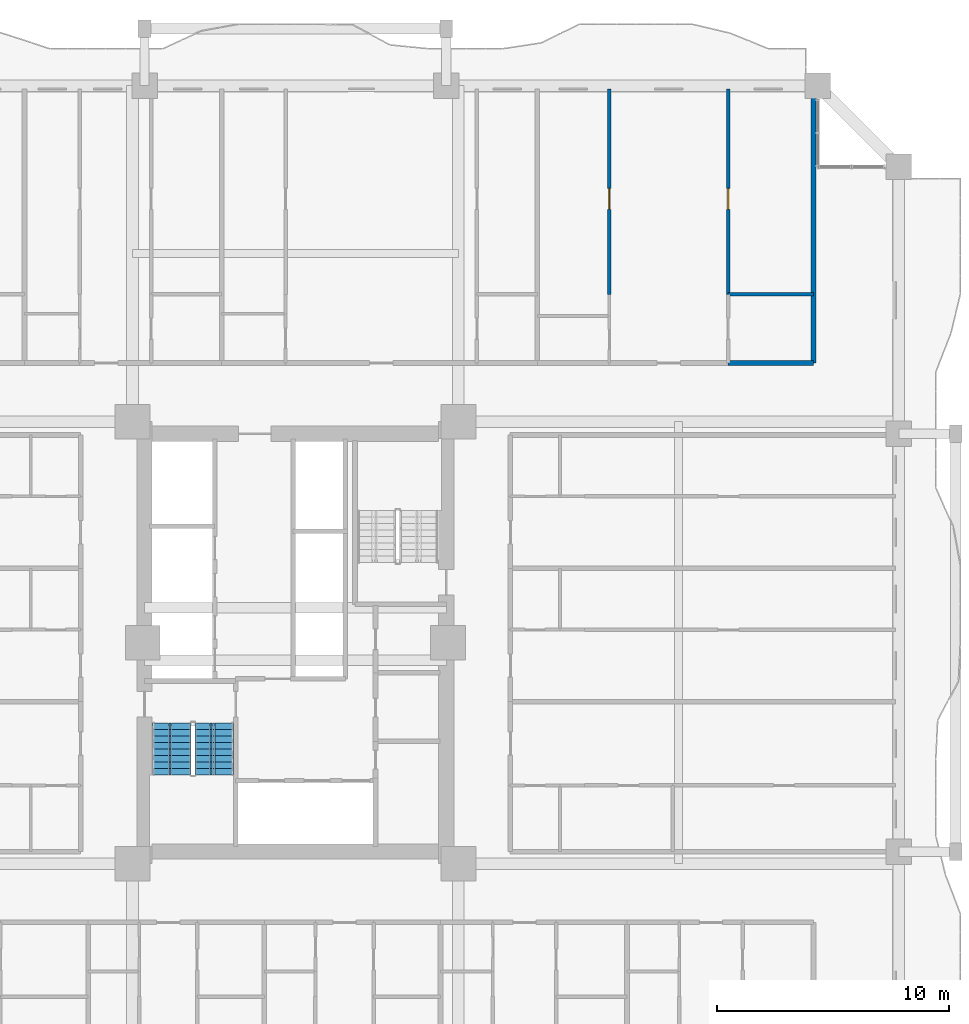
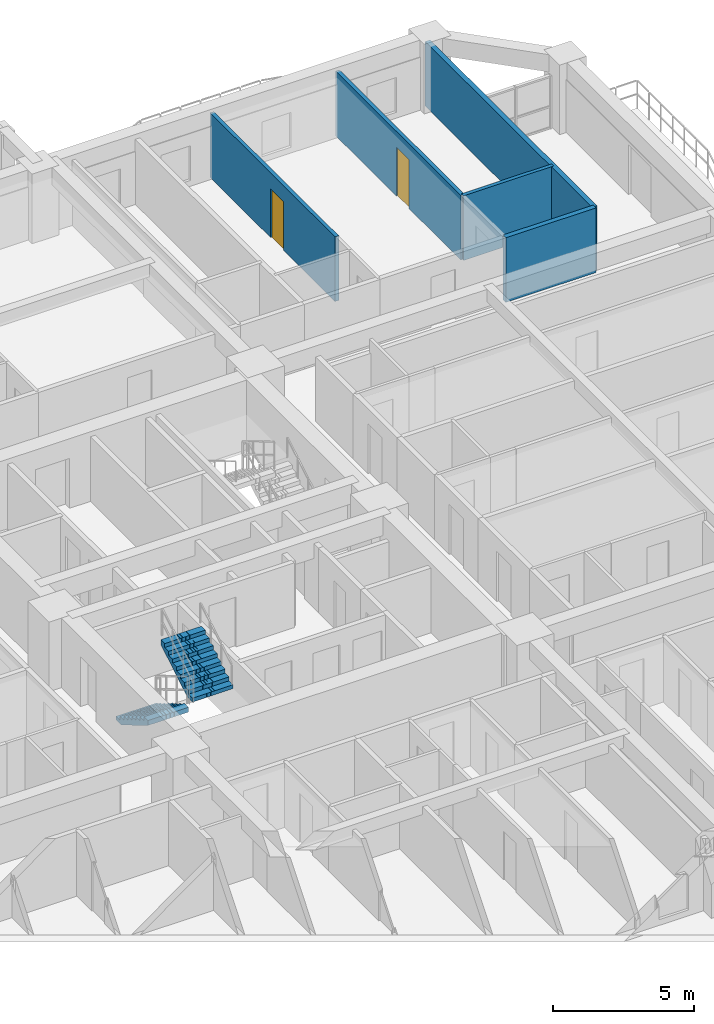
# One storey, part 21 of 28: 5 walls, 2 doors, 2 stair flights, 2 openings, 1 element without a shape of its own.
"""IFC4 building model written with IfcOpenShell, lengths in metres."""

from ifc_helpers import new_model, si_unit, direction, frame, frame_2d, origin, place, context, subcontext, project, spatial, polyline, rectangle, outline, extrude, source, transform, mapped, material, layer, layer_set, type_object, element, fill, aggregate, save


model = new_model("IFC4")

# Units and contexts
model_context = context("Model", 3, precision=1e-05, world=origin(), true_north=direction((0.0, 1.0)))
body_context = subcontext(model_context, "Body", "Model", "MODEL_VIEW")
ifc_project = project(units=[si_unit("LENGTHUNIT", "METRE"), si_unit("AREAUNIT", "SQUARE_METRE"), si_unit("VOLUMEUNIT", "CUBIC_METRE"), si_unit("PLANEANGLEUNIT", "RADIAN"), si_unit("MASSUNIT", "GRAM", prefix="KILO")], contexts=[model_context])

# Site, building, storey
site_placement = place(None, origin())
site = spatial("IfcSite", under=ifc_project, at=site_placement, CompositionType="ELEMENT")
building_placement = place(site_placement, origin())
building = spatial("IfcBuilding", under=site, at=building_placement, Name="Saelheon Loggia Tower", CompositionType="ELEMENT")
storey_placement = place(building_placement, frame((0.0, 0.0, 61.39990234375)))
storey = spatial("IfcBuildingStorey", under=building, at=storey_placement, Name="L19", CompositionType="ELEMENT", Elevation=61.39990234375)

# Wall
ifc_material_1 = material(Name="Lightweight Autoclaved Aerated Concrete Block and Acoustic Gypsum", Category="concrete")
ifc_layer_1 = layer(ifc_material_1, 0.14990234375)
ifc_layer_set_1 = layer_set([ifc_layer_1], Name="Lightweight Autoclaved Aerated Concrete Block and Acoustic Gypsum")
wall_type_1 = type_object("IfcWallType", Name="Wall_Part_150", PredefinedType="PARTITIONING", material=ifc_layer_set_1)
wall_1_placement = place(storey_placement, frame((56.6435546875, 42.010009765625, 0.0), z_axis=(0.0, 0.0, 1.0), x_axis=(1.0, 0.0, 0.0)))
element("IfcWall", 1, at=wall_1_placement, inside=storey, type_object=wall_type_1, Name="L19 N Partition V42", PredefinedType="PARTITIONING", context=body_context, shape_type="SweptSolid", body=[
    extrude(rectangle(XDim=3.676513671875, YDim=0.14990234375, at=frame_2d((1.83837890625, 0.0))), origin(), (0.0, 0.0, 1.0), 2.7900390625),
])

# Wall, opening, door
wall_2_placement = place(storey_placement, frame((51.51611328125, 42.010009765625, 0.0), z_axis=(0.0, 0.0, 1.0), x_axis=(0.0, 1.0, 0.0)))
wall_2 = element("IfcWall", 2, at=wall_2_placement, inside=storey, type_object=wall_type_1, Name="L19 N Partition U45", PredefinedType="PARTITIONING", context=body_context, shape_type="SweptSolid", body=[
    extrude(rectangle(XDim=8.840087890625, YDim=0.14990234375, at=frame_2d((4.419921875, 0.0))), origin(), (0.0, 0.0, 1.0), 2.7900390625),
])
opening_1_placement = place(wall_2_placement, frame((3.6591796875, 0.0, 0.0)))
opening_1 = element("IfcOpeningElement", 3, at=opening_1_placement, cuts=wall_2, Name="Opening D-IN2", PredefinedType="OPENING", context=body_context, shape_type="SweptSolid", body=[
    extrude(rectangle(XDim=0.89990234375, YDim=2.10009765625, at=frame_2d((0.449951171875, 1.050048828125))), frame((0.0, 0.0869140625, 0.0), z_axis=(0.0, -1.0, 0.0), x_axis=(1.0, 0.0, 0.0)), (0.0, 0.0, 1.0), 0.173828125),
])
ifc_material_2 = material(Name="Engineered Oak Flush Door", Category="timber")
door_type = type_object("IfcDoorType", Name="Door_Int_900", OperationType="NOTDEFINED", PredefinedType="DOOR", material=ifc_material_2)
shared_shape = source(origin(), body_context, "Body", "SweptSolid", [
    extrude(rectangle(XDim=0.89990234375, YDim=2.10009765625, at=frame_2d((0.449951171875, 1.050048828125))), frame((0.0, 0.02490234375, 0.0), z_axis=(0.0, -1.0, 0.0), x_axis=(1.0, 0.0, 0.0)), (0.0, 0.0, 1.0), 0.050048828125),
])
door_1_placement = place(opening_1_placement, origin())
door_1 = element("IfcDoor", 4, at=door_1_placement, inside=storey, type_object=door_type, Name="Unit U09 Bedroom 2 Door", OperationType="SINGLE_SWING_RIGHT", OverallHeight=2.10009765625, OverallWidth=0.89990234375, PredefinedType="DOOR", context=body_context, shape_type="MappedRepresentation", body=[
    mapped(shared_shape, transform((0.0, 0.0, 0.0), scale=1.0)),
])
fill(opening_1, door_1)

wall_3_placement = place(storey_placement, frame((56.6435546875, 42.010009765625, 0.0), z_axis=(0.0, 0.0, 1.0), x_axis=(0.0, 1.0, 0.0)))
wall_3 = element("IfcWall", 5, at=wall_3_placement, inside=storey, type_object=wall_type_1, Name="L19 N Partition U47", PredefinedType="PARTITIONING", context=body_context, shape_type="SweptSolid", body=[
    extrude(rectangle(XDim=8.840087890625, YDim=0.14990234375, at=frame_2d((4.419921875, 0.0))), origin(), (0.0, 0.0, 1.0), 2.7900390625),
])
opening_2_placement = place(wall_3_placement, frame((3.6591796875, 0.0, 0.0)))
opening_2 = element("IfcOpeningElement", 6, at=opening_2_placement, cuts=wall_3, Name="Opening D-IN2", PredefinedType="OPENING", context=body_context, shape_type="SweptSolid", body=[
    extrude(rectangle(XDim=0.89990234375, YDim=2.10009765625, at=frame_2d((0.449951171875, 1.050048828125))), frame((0.0, 0.0869140625, 0.0), z_axis=(0.0, -1.0, 0.0), x_axis=(1.0, 0.0, 0.0)), (0.0, 0.0, 1.0), 0.173828125),
])
door_2_placement = place(opening_2_placement, origin())
door_2 = element("IfcDoor", 7, at=door_2_placement, inside=storey, type_object=door_type, Name="Unit U09 Bedroom 1 Door", OperationType="SINGLE_SWING_RIGHT", OverallHeight=2.10009765625, OverallWidth=0.89990234375, PredefinedType="DOOR", context=body_context, shape_type="MappedRepresentation", body=[
    mapped(shared_shape, transform((0.0, 0.0, 0.0), scale=1.0)),
])
fill(opening_2, door_2)

# Walls
ifc_material_3 = material(Name="Double Acoustic Stud and Fireboard Partition", Category="gypsum")
ifc_layer_2 = layer(ifc_material_3, 0.199951171875)
ifc_layer_set_2 = layer_set([ifc_layer_2], Name="Double Acoustic Stud and Fireboard Partition")
wall_type_2 = type_object("IfcWallType", Name="Wall_Party_200", PredefinedType="PARTITIONING", material=ifc_layer_set_2)
wall_4_placement = place(storey_placement, frame((60.320068359375, 39.050048828125, 0.0), z_axis=(0.0, 0.0, 1.0), x_axis=(0.0, 1.0, 0.0)))
element("IfcWall", 8, at=wall_4_placement, inside=storey, type_object=wall_type_2, Name="L19 N Partition U02", PredefinedType="PARTITIONING", context=body_context, shape_type="SweptSolid", body=[
    extrude(rectangle(XDim=11.800048828125, YDim=0.199951171875, at=frame_2d((5.89990234375, 0.0))), origin(), (0.0, 0.0, 1.0), 2.7900390625),
])
wall_5_placement = place(storey_placement, frame((56.6435546875, 39.050048828125, 0.0), z_axis=(0.0, 0.0, 1.0), x_axis=(1.0, 0.0, 0.0)))
element("IfcWall", 9, at=wall_5_placement, inside=storey, type_object=wall_type_2, Name="L19 N Partition V40", PredefinedType="PARTITIONING", context=body_context, shape_type="SweptSolid", body=[
    extrude(rectangle(XDim=3.676513671875, YDim=0.199951171875, at=frame_2d((1.83837890625, 0.0))), origin(), (0.0, 0.0, 1.0), 2.7900390625),
])

# Stair, stair flights
ifc_material_4 = material(Name="Concrete C40/50", Category="concrete")
stair_type = type_object("IfcStairType", Name="Stair_Escape_Core", PredefinedType="HALF_TURN_STAIR", material=ifc_material_4)
stair_placement = place(storey_placement, origin())
stair = element("IfcStair", 10, at=stair_placement, inside=storey, type_object=stair_type, Name="L19 Special Escape Stair ST1", PredefinedType="HALF_TURN_STAIR")
stair_flight_type = type_object("IfcStairFlightType", Name="StairFlight_Tower_1660", PredefinedType="STRAIGHT", material=ifc_material_4)
stair_flight_1_placement = place(storey_placement, frame((32.679931640625, 23.550048828125, 0.0), z_axis=(0.0, 0.0, 1.0), x_axis=(0.0, -1.0, 0.0)))
stair_flight_1 = element("IfcStairFlight", 11, at=stair_flight_1_placement, type_object=stair_flight_type, Name="ST1 flight 1", NumberOfRisers=9, NumberOfTreads=8, PredefinedType="STRAIGHT", RiserHeight=0.166666667, TreadLength=0.28, context=body_context, shape_type="SweptSolid", body=[
    extrude(outline(polyline([(0.0, 0.0), (0.0, 0.166748046875), (0.280029296875, 0.166748046875), (0.280029296875, 0.333251953125), (0.56005859375, 0.333251953125), (0.56005859375, 0.5), (0.840087890625, 0.5), (0.840087890625, 0.666748046875), (1.1201171875, 0.666748046875), (1.1201171875, 0.833251953125), (1.39990234375, 0.833251953125), (1.39990234375, 1.0), (1.679931640625, 1.0), (1.679931640625, 1.166748046875), (1.9599609375, 1.166748046875), (1.9599609375, 1.333251953125), (2.239990234375, 1.333251953125), (2.239990234375, 1.5), (2.239990234375, 1.1240234375), (0.351806640625, 0.0), (0.0, 0.0)])), frame((0.0, -0.2490234375, 0.0), z_axis=(0.0, -1.0, 0.0), x_axis=(1.0, 0.0, 0.0)), (0.0, 0.0, 1.0), 0.5810546875),
    extrude(outline(polyline([(0.0, 0.0), (0.0, 0.166748046875), (0.280029296875, 0.166748046875), (0.280029296875, 0.333251953125), (0.56005859375, 0.333251953125), (0.56005859375, 0.5), (0.840087890625, 0.5), (0.840087890625, 0.666748046875), (1.1201171875, 0.666748046875), (1.1201171875, 0.833251953125), (1.39990234375, 0.833251953125), (1.39990234375, 1.0), (1.679931640625, 1.0), (1.679931640625, 1.166748046875), (1.9599609375, 1.166748046875), (1.9599609375, 1.333251953125), (2.239990234375, 1.333251953125), (2.239990234375, 1.5), (2.239990234375, 1.1240234375), (0.351806640625, 0.0), (0.0, 0.0)])), frame((0.0, -0.194091796875, 0.0), z_axis=(0.0, -1.0, 0.0), x_axis=(1.0, 0.0, 0.0)), (0.0, 0.0, 1.0), 0.0498046875),
    extrude(outline(polyline([(0.0, 0.0), (0.0, 0.166748046875), (0.280029296875, 0.166748046875), (0.280029296875, 0.333251953125), (0.56005859375, 0.333251953125), (0.56005859375, 0.5), (0.840087890625, 0.5), (0.840087890625, 0.666748046875), (1.1201171875, 0.666748046875), (1.1201171875, 0.833251953125), (1.39990234375, 0.833251953125), (1.39990234375, 1.0), (1.679931640625, 1.0), (1.679931640625, 1.166748046875), (1.9599609375, 1.166748046875), (1.9599609375, 1.333251953125), (2.239990234375, 1.333251953125), (2.239990234375, 1.5), (2.239990234375, 1.1240234375), (0.351806640625, 0.0), (0.0, 0.0)])), frame((0.0, -0.139404296875, 0.0), z_axis=(0.0, -1.0, 0.0), x_axis=(1.0, 0.0, 0.0)), (0.0, 0.0, 1.0), 0.0498046875),
    extrude(outline(polyline([(0.0, 0.0), (0.0, 0.166748046875), (0.280029296875, 0.166748046875), (0.280029296875, 0.333251953125), (0.56005859375, 0.333251953125), (0.56005859375, 0.5), (0.840087890625, 0.5), (0.840087890625, 0.666748046875), (1.1201171875, 0.666748046875), (1.1201171875, 0.833251953125), (1.39990234375, 0.833251953125), (1.39990234375, 1.0), (1.679931640625, 1.0), (1.679931640625, 1.166748046875), (1.9599609375, 1.166748046875), (1.9599609375, 1.333251953125), (2.239990234375, 1.333251953125), (2.239990234375, 1.5), (2.239990234375, 1.1240234375), (0.351806640625, 0.0), (0.0, 0.0)])), frame((0.0, -0.084716796875, 0.0), z_axis=(0.0, -1.0, 0.0), x_axis=(1.0, 0.0, 0.0)), (0.0, 0.0, 1.0), 0.0498046875),
    extrude(outline(polyline([(0.0, 0.0), (0.0, 0.166748046875), (0.280029296875, 0.166748046875), (0.280029296875, 0.333251953125), (0.56005859375, 0.333251953125), (0.56005859375, 0.5), (0.840087890625, 0.5), (0.840087890625, 0.666748046875), (1.1201171875, 0.666748046875), (1.1201171875, 0.833251953125), (1.39990234375, 0.833251953125), (1.39990234375, 1.0), (1.679931640625, 1.0), (1.679931640625, 1.166748046875), (1.9599609375, 1.166748046875), (1.9599609375, 1.333251953125), (2.239990234375, 1.333251953125), (2.239990234375, 1.5), (2.239990234375, 1.1240234375), (0.351806640625, 0.0), (0.0, 0.0)])), frame((0.0, -0.02978515625, 0.0), z_axis=(0.0, -1.0, 0.0), x_axis=(1.0, 0.0, 0.0)), (0.0, 0.0, 1.0), 0.0498046875),
    extrude(outline(polyline([(0.0, 0.0), (0.0, 0.166748046875), (0.280029296875, 0.166748046875), (0.280029296875, 0.333251953125), (0.56005859375, 0.333251953125), (0.56005859375, 0.5), (0.840087890625, 0.5), (0.840087890625, 0.666748046875), (1.1201171875, 0.666748046875), (1.1201171875, 0.833251953125), (1.39990234375, 0.833251953125), (1.39990234375, 1.0), (1.679931640625, 1.0), (1.679931640625, 1.166748046875), (1.9599609375, 1.166748046875), (1.9599609375, 1.333251953125), (2.239990234375, 1.333251953125), (2.239990234375, 1.5), (2.239990234375, 1.1240234375), (0.351806640625, 0.0), (0.0, 0.0)])), frame((0.0, 0.02490234375, 0.0), z_axis=(0.0, -1.0, 0.0), x_axis=(1.0, 0.0, 0.0)), (0.0, 0.0, 1.0), 0.0498046875),
    extrude(outline(polyline([(0.0, 0.0), (0.0, 0.166748046875), (0.280029296875, 0.166748046875), (0.280029296875, 0.333251953125), (0.56005859375, 0.333251953125), (0.56005859375, 0.5), (0.840087890625, 0.5), (0.840087890625, 0.666748046875), (1.1201171875, 0.666748046875), (1.1201171875, 0.833251953125), (1.39990234375, 0.833251953125), (1.39990234375, 1.0), (1.679931640625, 1.0), (1.679931640625, 1.166748046875), (1.9599609375, 1.166748046875), (1.9599609375, 1.333251953125), (2.239990234375, 1.333251953125), (2.239990234375, 1.5), (2.239990234375, 1.1240234375), (0.351806640625, 0.0), (0.0, 0.0)])), frame((0.0, 0.07958984375, 0.0), z_axis=(0.0, -1.0, 0.0), x_axis=(1.0, 0.0, 0.0)), (0.0, 0.0, 1.0), 0.0498046875),
    extrude(outline(polyline([(0.0, 0.0), (0.0, 0.166748046875), (0.280029296875, 0.166748046875), (0.280029296875, 0.333251953125), (0.56005859375, 0.333251953125), (0.56005859375, 0.5), (0.840087890625, 0.5), (0.840087890625, 0.666748046875), (1.1201171875, 0.666748046875), (1.1201171875, 0.833251953125), (1.39990234375, 0.833251953125), (1.39990234375, 1.0), (1.679931640625, 1.0), (1.679931640625, 1.166748046875), (1.9599609375, 1.166748046875), (1.9599609375, 1.333251953125), (2.239990234375, 1.333251953125), (2.239990234375, 1.5), (2.239990234375, 1.1240234375), (0.351806640625, 0.0), (0.0, 0.0)])), frame((0.0, 0.134521484375, 0.0), z_axis=(0.0, -1.0, 0.0), x_axis=(1.0, 0.0, 0.0)), (0.0, 0.0, 1.0), 0.0498046875),
    extrude(outline(polyline([(0.0, 0.0), (0.0, 0.166748046875), (0.280029296875, 0.166748046875), (0.280029296875, 0.333251953125), (0.56005859375, 0.333251953125), (0.56005859375, 0.5), (0.840087890625, 0.5), (0.840087890625, 0.666748046875), (1.1201171875, 0.666748046875), (1.1201171875, 0.833251953125), (1.39990234375, 0.833251953125), (1.39990234375, 1.0), (1.679931640625, 1.0), (1.679931640625, 1.166748046875), (1.9599609375, 1.166748046875), (1.9599609375, 1.333251953125), (2.239990234375, 1.333251953125), (2.239990234375, 1.5), (2.239990234375, 1.1240234375), (0.351806640625, 0.0), (0.0, 0.0)])), frame((0.0, 0.189208984375, 0.0), z_axis=(0.0, -1.0, 0.0), x_axis=(1.0, 0.0, 0.0)), (0.0, 0.0, 1.0), 0.0498046875),
    extrude(outline(polyline([(0.0, 0.0), (0.0, 0.166748046875), (0.280029296875, 0.166748046875), (0.280029296875, 0.333251953125), (0.56005859375, 0.333251953125), (0.56005859375, 0.5), (0.840087890625, 0.5), (0.840087890625, 0.666748046875), (1.1201171875, 0.666748046875), (1.1201171875, 0.833251953125), (1.39990234375, 0.833251953125), (1.39990234375, 1.0), (1.679931640625, 1.0), (1.679931640625, 1.166748046875), (1.9599609375, 1.166748046875), (1.9599609375, 1.333251953125), (2.239990234375, 1.333251953125), (2.239990234375, 1.5), (2.239990234375, 1.1240234375), (0.351806640625, 0.0), (0.0, 0.0)])), frame((0.0, 0.243896484375, 0.0), z_axis=(0.0, -1.0, 0.0), x_axis=(1.0, 0.0, 0.0)), (0.0, 0.0, 1.0), 0.0498046875),
    extrude(outline(polyline([(0.0, 0.0), (0.0, 0.166748046875), (0.280029296875, 0.166748046875), (0.280029296875, 0.333251953125), (0.56005859375, 0.333251953125), (0.56005859375, 0.5), (0.840087890625, 0.5), (0.840087890625, 0.666748046875), (1.1201171875, 0.666748046875), (1.1201171875, 0.833251953125), (1.39990234375, 0.833251953125), (1.39990234375, 1.0), (1.679931640625, 1.0), (1.679931640625, 1.166748046875), (1.9599609375, 1.166748046875), (1.9599609375, 1.333251953125), (2.239990234375, 1.333251953125), (2.239990234375, 1.5), (2.239990234375, 1.1240234375), (0.351806640625, 0.0), (0.0, 0.0)])), frame((0.0, 0.830078125, 0.0), z_axis=(0.0, -1.0, 0.0), x_axis=(1.0, 0.0, 0.0)), (0.0, 0.0, 1.0), 0.5810546875),
])
stair_flight_2_placement = place(storey_placement, frame((34.5, 21.31005859375, 1.5), z_axis=(0.0, 0.0, 1.0), x_axis=(0.0, 1.0, 0.0)))
stair_flight_2 = element("IfcStairFlight", 12, at=stair_flight_2_placement, type_object=stair_flight_type, Name="ST1 flight 2", NumberOfRisers=9, NumberOfTreads=8, PredefinedType="STRAIGHT", RiserHeight=0.166666667, TreadLength=0.28, context=body_context, shape_type="SweptSolid", body=[
    extrude(outline(polyline([(0.0, 0.0), (0.0, 0.166748046875), (0.280029296875, 0.166748046875), (0.280029296875, 0.333251953125), (0.56005859375, 0.333251953125), (0.56005859375, 0.5), (0.840087890625, 0.5), (0.840087890625, 0.666748046875), (1.1201171875, 0.666748046875), (1.1201171875, 0.833251953125), (1.39990234375, 0.833251953125), (1.39990234375, 1.0), (1.679931640625, 1.0), (1.679931640625, 1.166748046875), (1.9599609375, 1.166748046875), (1.9599609375, 1.333251953125), (2.239990234375, 1.333251953125), (2.239990234375, 1.5), (2.239990234375, 1.1240234375), (0.351806640625, 0.0), (0.0, 0.0)])), frame((0.0, -0.2490234375, 0.0), z_axis=(0.0, -1.0, 0.0), x_axis=(1.0, 0.0, 0.0)), (0.0, 0.0, 1.0), 0.5810546875),
    extrude(outline(polyline([(0.0, 0.0), (0.0, 0.166748046875), (0.280029296875, 0.166748046875), (0.280029296875, 0.333251953125), (0.56005859375, 0.333251953125), (0.56005859375, 0.5), (0.840087890625, 0.5), (0.840087890625, 0.666748046875), (1.1201171875, 0.666748046875), (1.1201171875, 0.833251953125), (1.39990234375, 0.833251953125), (1.39990234375, 1.0), (1.679931640625, 1.0), (1.679931640625, 1.166748046875), (1.9599609375, 1.166748046875), (1.9599609375, 1.333251953125), (2.239990234375, 1.333251953125), (2.239990234375, 1.5), (2.239990234375, 1.1240234375), (0.351806640625, 0.0), (0.0, 0.0)])), frame((0.0, -0.194091796875, 0.0), z_axis=(0.0, -1.0, 0.0), x_axis=(1.0, 0.0, 0.0)), (0.0, 0.0, 1.0), 0.0498046875),
    extrude(outline(polyline([(0.0, 0.0), (0.0, 0.166748046875), (0.280029296875, 0.166748046875), (0.280029296875, 0.333251953125), (0.56005859375, 0.333251953125), (0.56005859375, 0.5), (0.840087890625, 0.5), (0.840087890625, 0.666748046875), (1.1201171875, 0.666748046875), (1.1201171875, 0.833251953125), (1.39990234375, 0.833251953125), (1.39990234375, 1.0), (1.679931640625, 1.0), (1.679931640625, 1.166748046875), (1.9599609375, 1.166748046875), (1.9599609375, 1.333251953125), (2.239990234375, 1.333251953125), (2.239990234375, 1.5), (2.239990234375, 1.1240234375), (0.351806640625, 0.0), (0.0, 0.0)])), frame((0.0, -0.139404296875, 0.0), z_axis=(0.0, -1.0, 0.0), x_axis=(1.0, 0.0, 0.0)), (0.0, 0.0, 1.0), 0.0498046875),
    extrude(outline(polyline([(0.0, 0.0), (0.0, 0.166748046875), (0.280029296875, 0.166748046875), (0.280029296875, 0.333251953125), (0.56005859375, 0.333251953125), (0.56005859375, 0.5), (0.840087890625, 0.5), (0.840087890625, 0.666748046875), (1.1201171875, 0.666748046875), (1.1201171875, 0.833251953125), (1.39990234375, 0.833251953125), (1.39990234375, 1.0), (1.679931640625, 1.0), (1.679931640625, 1.166748046875), (1.9599609375, 1.166748046875), (1.9599609375, 1.333251953125), (2.239990234375, 1.333251953125), (2.239990234375, 1.5), (2.239990234375, 1.1240234375), (0.351806640625, 0.0), (0.0, 0.0)])), frame((0.0, -0.084716796875, 0.0), z_axis=(0.0, -1.0, 0.0), x_axis=(1.0, 0.0, 0.0)), (0.0, 0.0, 1.0), 0.0498046875),
    extrude(outline(polyline([(0.0, 0.0), (0.0, 0.166748046875), (0.280029296875, 0.166748046875), (0.280029296875, 0.333251953125), (0.56005859375, 0.333251953125), (0.56005859375, 0.5), (0.840087890625, 0.5), (0.840087890625, 0.666748046875), (1.1201171875, 0.666748046875), (1.1201171875, 0.833251953125), (1.39990234375, 0.833251953125), (1.39990234375, 1.0), (1.679931640625, 1.0), (1.679931640625, 1.166748046875), (1.9599609375, 1.166748046875), (1.9599609375, 1.333251953125), (2.239990234375, 1.333251953125), (2.239990234375, 1.5), (2.239990234375, 1.1240234375), (0.351806640625, 0.0), (0.0, 0.0)])), frame((0.0, -0.02978515625, 0.0), z_axis=(0.0, -1.0, 0.0), x_axis=(1.0, 0.0, 0.0)), (0.0, 0.0, 1.0), 0.0498046875),
    extrude(outline(polyline([(0.0, 0.0), (0.0, 0.166748046875), (0.280029296875, 0.166748046875), (0.280029296875, 0.333251953125), (0.56005859375, 0.333251953125), (0.56005859375, 0.5), (0.840087890625, 0.5), (0.840087890625, 0.666748046875), (1.1201171875, 0.666748046875), (1.1201171875, 0.833251953125), (1.39990234375, 0.833251953125), (1.39990234375, 1.0), (1.679931640625, 1.0), (1.679931640625, 1.166748046875), (1.9599609375, 1.166748046875), (1.9599609375, 1.333251953125), (2.239990234375, 1.333251953125), (2.239990234375, 1.5), (2.239990234375, 1.1240234375), (0.351806640625, 0.0), (0.0, 0.0)])), frame((0.0, 0.02490234375, 0.0), z_axis=(0.0, -1.0, 0.0), x_axis=(1.0, 0.0, 0.0)), (0.0, 0.0, 1.0), 0.0498046875),
    extrude(outline(polyline([(0.0, 0.0), (0.0, 0.166748046875), (0.280029296875, 0.166748046875), (0.280029296875, 0.333251953125), (0.56005859375, 0.333251953125), (0.56005859375, 0.5), (0.840087890625, 0.5), (0.840087890625, 0.666748046875), (1.1201171875, 0.666748046875), (1.1201171875, 0.833251953125), (1.39990234375, 0.833251953125), (1.39990234375, 1.0), (1.679931640625, 1.0), (1.679931640625, 1.166748046875), (1.9599609375, 1.166748046875), (1.9599609375, 1.333251953125), (2.239990234375, 1.333251953125), (2.239990234375, 1.5), (2.239990234375, 1.1240234375), (0.351806640625, 0.0), (0.0, 0.0)])), frame((0.0, 0.07958984375, 0.0), z_axis=(0.0, -1.0, 0.0), x_axis=(1.0, 0.0, 0.0)), (0.0, 0.0, 1.0), 0.0498046875),
    extrude(outline(polyline([(0.0, 0.0), (0.0, 0.166748046875), (0.280029296875, 0.166748046875), (0.280029296875, 0.333251953125), (0.56005859375, 0.333251953125), (0.56005859375, 0.5), (0.840087890625, 0.5), (0.840087890625, 0.666748046875), (1.1201171875, 0.666748046875), (1.1201171875, 0.833251953125), (1.39990234375, 0.833251953125), (1.39990234375, 1.0), (1.679931640625, 1.0), (1.679931640625, 1.166748046875), (1.9599609375, 1.166748046875), (1.9599609375, 1.333251953125), (2.239990234375, 1.333251953125), (2.239990234375, 1.5), (2.239990234375, 1.1240234375), (0.351806640625, 0.0), (0.0, 0.0)])), frame((0.0, 0.134521484375, 0.0), z_axis=(0.0, -1.0, 0.0), x_axis=(1.0, 0.0, 0.0)), (0.0, 0.0, 1.0), 0.0498046875),
    extrude(outline(polyline([(0.0, 0.0), (0.0, 0.166748046875), (0.280029296875, 0.166748046875), (0.280029296875, 0.333251953125), (0.56005859375, 0.333251953125), (0.56005859375, 0.5), (0.840087890625, 0.5), (0.840087890625, 0.666748046875), (1.1201171875, 0.666748046875), (1.1201171875, 0.833251953125), (1.39990234375, 0.833251953125), (1.39990234375, 1.0), (1.679931640625, 1.0), (1.679931640625, 1.166748046875), (1.9599609375, 1.166748046875), (1.9599609375, 1.333251953125), (2.239990234375, 1.333251953125), (2.239990234375, 1.5), (2.239990234375, 1.1240234375), (0.351806640625, 0.0), (0.0, 0.0)])), frame((0.0, 0.189208984375, 0.0), z_axis=(0.0, -1.0, 0.0), x_axis=(1.0, 0.0, 0.0)), (0.0, 0.0, 1.0), 0.0498046875),
    extrude(outline(polyline([(0.0, 0.0), (0.0, 0.166748046875), (0.280029296875, 0.166748046875), (0.280029296875, 0.333251953125), (0.56005859375, 0.333251953125), (0.56005859375, 0.5), (0.840087890625, 0.5), (0.840087890625, 0.666748046875), (1.1201171875, 0.666748046875), (1.1201171875, 0.833251953125), (1.39990234375, 0.833251953125), (1.39990234375, 1.0), (1.679931640625, 1.0), (1.679931640625, 1.166748046875), (1.9599609375, 1.166748046875), (1.9599609375, 1.333251953125), (2.239990234375, 1.333251953125), (2.239990234375, 1.5), (2.239990234375, 1.1240234375), (0.351806640625, 0.0), (0.0, 0.0)])), frame((0.0, 0.243896484375, 0.0), z_axis=(0.0, -1.0, 0.0), x_axis=(1.0, 0.0, 0.0)), (0.0, 0.0, 1.0), 0.0498046875),
    extrude(outline(polyline([(0.0, 0.0), (0.0, 0.166748046875), (0.280029296875, 0.166748046875), (0.280029296875, 0.333251953125), (0.56005859375, 0.333251953125), (0.56005859375, 0.5), (0.840087890625, 0.5), (0.840087890625, 0.666748046875), (1.1201171875, 0.666748046875), (1.1201171875, 0.833251953125), (1.39990234375, 0.833251953125), (1.39990234375, 1.0), (1.679931640625, 1.0), (1.679931640625, 1.166748046875), (1.9599609375, 1.166748046875), (1.9599609375, 1.333251953125), (2.239990234375, 1.333251953125), (2.239990234375, 1.5), (2.239990234375, 1.1240234375), (0.351806640625, 0.0), (0.0, 0.0)])), frame((0.0, 0.830078125, 0.0), z_axis=(0.0, -1.0, 0.0), x_axis=(1.0, 0.0, 0.0)), (0.0, 0.0, 1.0), 0.5810546875),
])
aggregate(stair, [stair_flight_1, stair_flight_2])

save(model, "model.ifc")
